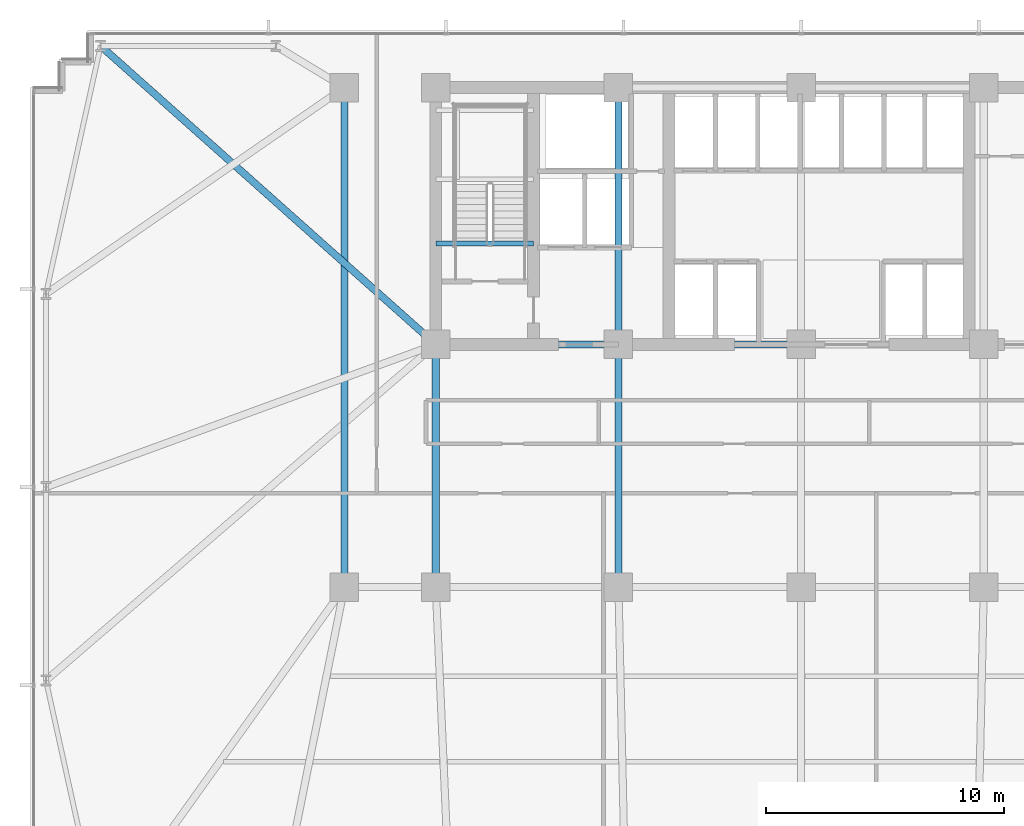
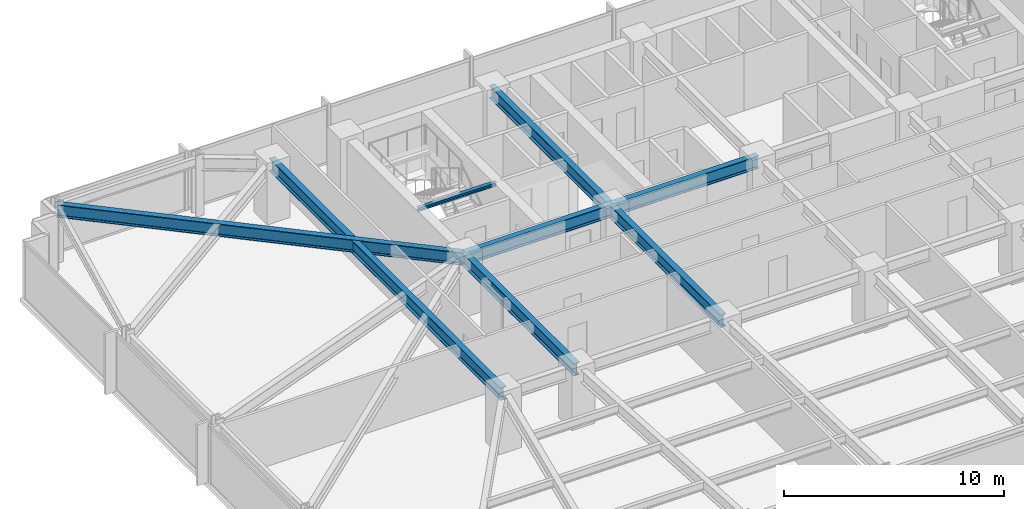
# One storey, part 10 of 33: 8 beams.
"""IFC4 building model written with IfcOpenShell, lengths in metres."""

from ifc_helpers import new_model, si_unit, direction, frame, origin, origin_2d, place, context, subcontext, project, spatial, i_section, extrude, material, material_profile, profile_set, type_object, element, save


model = new_model("IFC4")

# Units and contexts
model_context = context("Model", 3, precision=1e-05, world=origin(), true_north=direction((0.0, 1.0)))
body_context = subcontext(model_context, "Body", "Model", "MODEL_VIEW")
ifc_project = project(units=[si_unit("LENGTHUNIT", "METRE"), si_unit("AREAUNIT", "SQUARE_METRE"), si_unit("VOLUMEUNIT", "CUBIC_METRE"), si_unit("PLANEANGLEUNIT", "RADIAN"), si_unit("MASSUNIT", "GRAM", prefix="KILO")], contexts=[model_context])

# Site, building, storey
site_placement = place(None, origin())
site = spatial("IfcSite", under=ifc_project, at=site_placement, CompositionType="ELEMENT")
building_placement = place(site_placement, origin())
building = spatial("IfcBuilding", under=site, at=building_placement, Name="Yelkora Congress Tower", CompositionType="ELEMENT")
storey_placement = place(building_placement, frame((0.0, 0.0, 64.39990234375)))
storey = spatial("IfcBuildingStorey", under=building, at=storey_placement, Name="L16", CompositionType="ELEMENT", Elevation=64.39990234375)

# Beams
ifc_material = material(Name="Steel S355J2", Category="steel")
ifc_material_profile_1 = material_profile(ifc_material, i_section(OverallWidth=0.300048828125, OverallDepth=0.699951171875, WebThickness=0.01708984375, FlangeThickness=0.031982421875, FilletRadius=0.027099609375, at=origin_2d()), Name="HEB 700")
ifc_profile_set_1 = profile_set([ifc_material_profile_1], Name="Steel S355J2")
beam_type_1 = type_object("IfcBeamType", Name="BM-GIRD-HEB700", PredefinedType="BEAM", material=ifc_profile_set_1)
for number, where, z_axis, x_axis, name in (
    (1, (23.0400390625, 35.39990234375, 2.830078125), (1.0, 0.0, 0.0), (0.0, 1.0, 0.0), "L16 Core South Girder 1"),
    (2, (30.719970703125, 35.39990234375, 2.830078125), (1.0, 0.0, 0.0), (0.0, 1.0, 0.0), "L16 Core South Girder 2"),
):
    element("IfcBeam", number, at=place(storey_placement, frame(where, z_axis=z_axis, x_axis=x_axis)), inside=storey, type_object=beam_type_1, Name=name, PredefinedType="BEAM", context=body_context, shape_type="SweptSolid", body=[
        extrude(i_section(OverallWidth=0.300048828125, OverallDepth=0.699951171875, WebThickness=0.01708984375, FlangeThickness=0.031982421875, FilletRadius=0.027099609375, at=origin_2d()), origin(), (0.0, 0.0, 1.0), 7.679931640625),
    ])
for number, where, z_axis, x_axis, name in (
    (3, (23.0400390625, 25.199951171875, 2.830078125), (0.0, 1.0, 0.0), (-1.0, 0.0, 0.0), "L16 Core Tie Girder MC-D1"),
    (4, (30.719970703125, 25.199951171875, 2.830078125), (0.0, 1.0, 0.0), (-1.0, 0.0, 0.0), "L16 Core Tie Girder MC-D2"),
):
    element("IfcBeam", number, at=place(storey_placement, frame(where, z_axis=z_axis, x_axis=x_axis)), inside=storey, type_object=beam_type_1, Name=name, PredefinedType="BEAM", context=body_context, shape_type="SweptSolid", body=[
        extrude(i_section(OverallWidth=0.300048828125, OverallDepth=0.699951171875, WebThickness=0.01708984375, FlangeThickness=0.031982421875, FilletRadius=0.027099609375, at=origin_2d()), origin(), (0.0, 0.0, 1.0), 10.199951171875),
    ])
beam_1_placement = place(storey_placement, frame((30.719970703125, 35.39990234375, 2.830078125), z_axis=(0.0, 1.0, 0.0), x_axis=(-1.0, 0.0, 0.0)))
element("IfcBeam", 5, at=beam_1_placement, inside=storey, type_object=beam_type_1, Name="L16 Core Tie Girder MC-S2", PredefinedType="BEAM", context=body_context, shape_type="SweptSolid", body=[
    extrude(i_section(OverallWidth=0.300048828125, OverallDepth=0.699951171875, WebThickness=0.01708984375, FlangeThickness=0.031982421875, FilletRadius=0.027099609375, at=origin_2d()), origin(), (0.0, 0.0, 1.0), 10.800048828125),
])
beam_2_placement = place(storey_placement, frame((19.199951171875, 25.199951171875, 2.830078125), z_axis=(0.0, 1.0, 0.0), x_axis=(-1.0, 0.0, 0.0)))
element("IfcBeam", 6, at=beam_2_placement, inside=storey, type_object=beam_type_1, Name="L16 Neck Flank Girder MC-F1", PredefinedType="BEAM", context=body_context, shape_type="SweptSolid", body=[
    extrude(i_section(OverallWidth=0.300048828125, OverallDepth=0.699951171875, WebThickness=0.01708984375, FlangeThickness=0.031982421875, FilletRadius=0.027099609375, at=origin_2d()), origin(), (0.0, 0.0, 1.0), 21.0),
])
beam_3_placement = place(storey_placement, frame((8.949951171875, 47.949951171875, 2.830078125), z_axis=(0.746737189621, -0.665119214605, 0.0), x_axis=(0.665119214605, 0.746737189621, 0.0)))
element("IfcBeam", 7, at=beam_3_placement, inside=storey, type_object=beam_type_1, Name="L16 Primary Frame Girder N01", PredefinedType="BEAM", context=body_context, shape_type="SweptSolid", body=[
    extrude(i_section(OverallWidth=0.300048828125, OverallDepth=0.699951171875, WebThickness=0.01708984375, FlangeThickness=0.031982421875, FilletRadius=0.027099609375, at=origin_2d()), origin(), (0.0, 0.0, 1.0), 18.868896484375),
])
ifc_material_profile_2 = material_profile(ifc_material, i_section(OverallWidth=0.199951171875, OverallDepth=0.18994140625, WebThickness=0.006591796875, FlangeThickness=0.010009765625, FilletRadius=0.01806640625, at=origin_2d()), Name="HEA 200")
ifc_profile_set_2 = profile_set([ifc_material_profile_2], Name="Steel S355J2")
beam_type_2 = type_object("IfcBeamType", Name="BM-LAND-HEA200", PredefinedType="BEAM", material=ifc_profile_set_2)
beam_4_placement = place(storey_placement, frame((23.0400390625, 39.639892578125, 2.947509765625), z_axis=(1.0, 0.0, 0.0), x_axis=(0.0, 1.0, 0.0)))
element("IfcBeam", 8, at=beam_4_placement, inside=storey, type_object=beam_type_2, Name="ST-01 L16 Floor Arrival Stringer Header Beam", PredefinedType="BEAM", context=body_context, shape_type="SweptSolid", body=[
    extrude(i_section(OverallWidth=0.199951171875, OverallDepth=0.18994140625, WebThickness=0.006591796875, FlangeThickness=0.010009765625, FilletRadius=0.01806640625, at=origin_2d()), origin(), (0.0, 0.0, 1.0), 4.10986328125),
])

save(model, "model.ifc")
